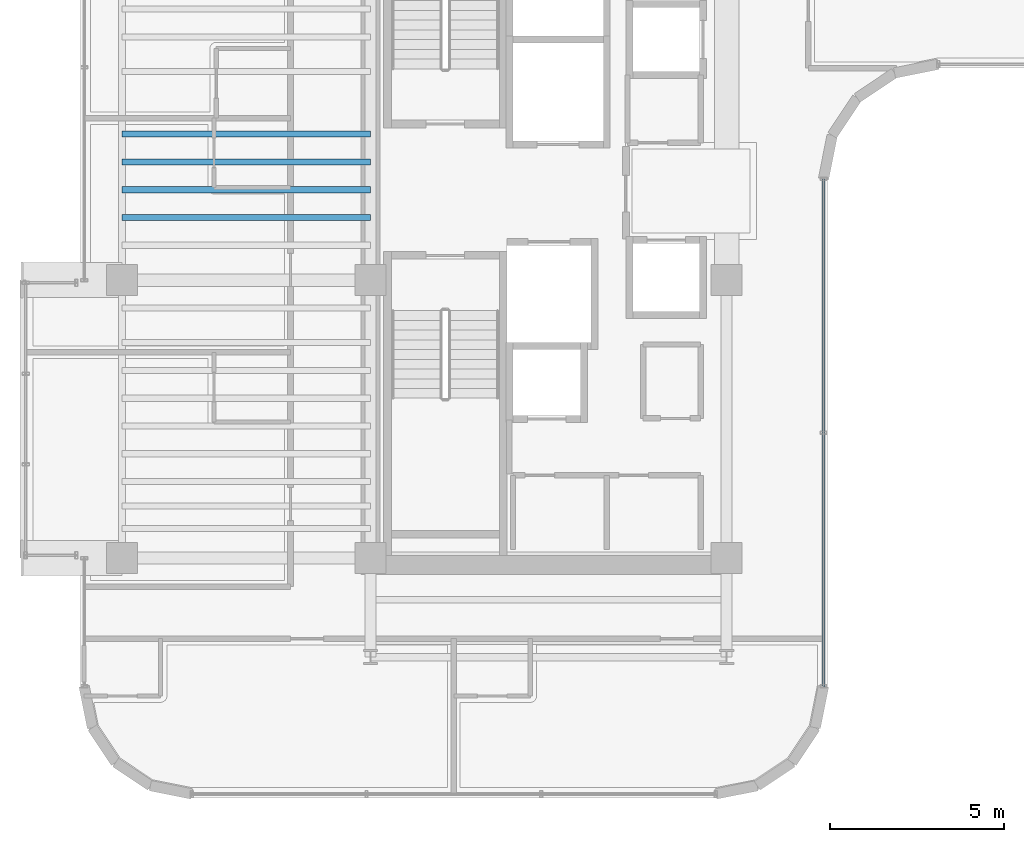
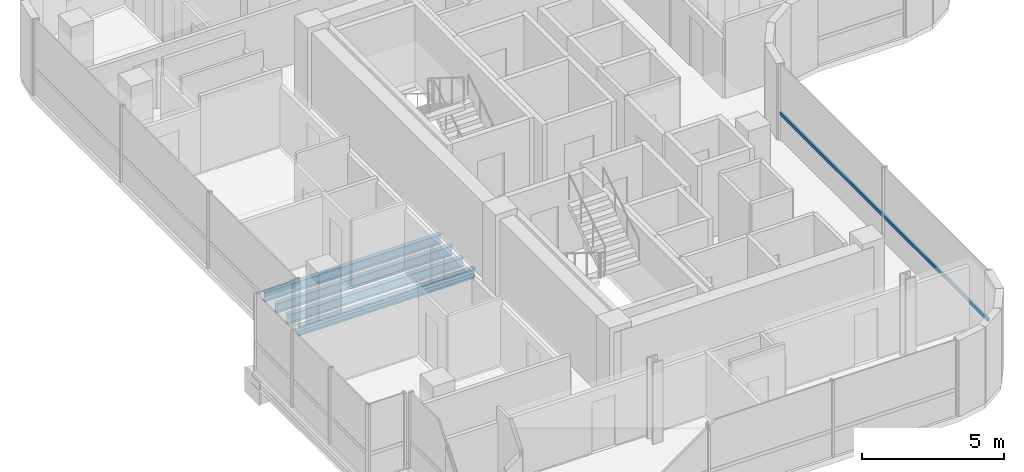
# One storey, part 6 of 24: 4 beams, 1 member, 1 element without a shape of its own.
"""IFC4 building model written with IfcOpenShell, lengths in metres."""

from ifc_helpers import new_model, si_unit, direction, frame, origin, origin_2d, place, context, subcontext, project, spatial, hollow_rectangle, i_section, extrude, source, transform, mapped, material, material_profile, profile_set, type_object, element, aggregate, save


model = new_model("IFC4")

# Units and contexts
model_context = context("Model", 3, precision=1e-05, world=origin(), true_north=direction((0.0, 1.0)))
body_context = subcontext(model_context, "Body", "Model", "MODEL_VIEW")
ifc_project = project(units=[si_unit("LENGTHUNIT", "METRE"), si_unit("AREAUNIT", "SQUARE_METRE"), si_unit("VOLUMEUNIT", "CUBIC_METRE"), si_unit("PLANEANGLEUNIT", "RADIAN"), si_unit("MASSUNIT", "GRAM", prefix="KILO")], contexts=[model_context])

# Site, building, storey
site_placement = place(None, origin())
site = spatial("IfcSite", under=ifc_project, at=site_placement, CompositionType="ELEMENT")
building_placement = place(site_placement, origin())
building = spatial("IfcBuilding", under=site, at=building_placement, Name="Valdorenza Pilgrim Sanctuary Tower", CompositionType="ELEMENT")
storey_placement = place(building_placement, frame((0.0, 0.0, 230.0)))
storey = spatial("IfcBuildingStorey", under=building, at=storey_placement, Name="L59", CompositionType="ELEMENT", Elevation=230.0)

# Beams
ifc_material_1 = material(Name="Steel ASTM A992 Grade 50", Category="steel")
ifc_material_profile_1 = material_profile(ifc_material_1, i_section(OverallWidth=0.177978515625, OverallDepth=0.406005859375, WebThickness=0.0078125, FlangeThickness=0.0126953125, at=origin_2d()), Name="W16X40")
ifc_profile_set_1 = profile_set([ifc_material_profile_1], Name="Steel ASTM A992 Grade 50")
beam_type = type_object("IfcBeamType", Name="STR-BM-JST-W16", PredefinedType="JOIST", material=ifc_profile_set_1)
shared_shape_1 = source(origin(), body_context, "Body", "SweptSolid", [
    extrude(i_section(OverallWidth=0.177978515625, OverallDepth=0.406005859375, WebThickness=0.0078125, FlangeThickness=0.0126953125, at=origin_2d()), origin(), (0.0, 0.0, 1.0), 7.150146484375),
])
for number, where, z_axis, x_axis, name in (
    (1, (-29.800048828125, -0.800048828125, -0.443115234375), (1.0, 0.0, 0.0), (0.0, 1.0, 0.0), "L59 Composite Floor Joist JST-WA-11"),
    (2, (-29.800048828125, 0.0, -0.443115234375), (1.0, 0.0, 0.0), (0.0, 1.0, 0.0), "L59 Composite Floor Joist JST-WA-12"),
    (3, (-29.800048828125, 0.800048828125, -0.443115234375), (1.0, 0.0, 0.0), (0.0, 1.0, 0.0), "L59 Composite Floor Joist JST-WA-13"),
    (4, (-29.800048828125, 1.60009765625, -0.443115234375), (1.0, 0.0, 0.0), (0.0, 1.0, 0.0), "L59 Composite Floor Joist JST-WA-14"),
):
    element("IfcBeam", number, at=place(storey_placement, frame(where, z_axis=z_axis, x_axis=x_axis)), inside=storey, type_object=beam_type, Name=name, PredefinedType="JOIST", context=body_context, shape_type="MappedRepresentation", body=[
        mapped(shared_shape_1, transform((0.0, 0.0, 0.0), x_axis=(1.0, 0.0, 0.0), y_axis=(0.0, 1.0, 0.0), z_axis=(0.0, 0.0, 1.0), scale=1.0)),
    ])

# Curtain wall, member
ifc_material_2 = material(Name="Curtain-wall IGU glazing", Category="glass")
curtain_wall_type = type_object("IfcCurtainWallType", Name="CW-SYS-02", PredefinedType="NOTDEFINED", material=ifc_material_2)
curtain_wall_placement = place(storey_placement, origin())
curtain_wall = element("IfcCurtainWall", 5, at=curtain_wall_placement, inside=storey, type_object=curtain_wall_type, Name="L59 Curtain Wall CW-L59-1-21", PredefinedType="NOTDEFINED")
ifc_material_3 = material(Name="Anodised aluminium AW-6060", Category="aluminium")
ifc_material_profile_2 = material_profile(ifc_material_3, hollow_rectangle(XDim=0.074951171875, YDim=0.14990234375, WallThickness=0.00390625, at=origin_2d()), Name="ALU-T 150x75x4")
ifc_profile_set_2 = profile_set([ifc_material_profile_2], Name="Anodised aluminium AW-6060")
member_type = type_object("IfcMemberType", Name="CW-TRN-02", PredefinedType="USERDEFINED", material=ifc_profile_set_2)
shared_shape_2 = source(origin(), body_context, "Body", "SweptSolid", [
    extrude(hollow_rectangle(XDim=0.074951171875, YDim=0.14990234375, WallThickness=0.00390625, at=origin_2d()), origin(), (0.0, 0.0, 1.0), 14.60009765625),
])
member_placement = place(storey_placement, frame((-9.610107421875, 0.310791015625, 1.1201171875), z_axis=(0.0, -1.0, 0.0), x_axis=(1.0, 0.0, 0.0)))
member = element("IfcMember", 6, at=member_placement, type_object=member_type, Name="CW-L59-1-21 Transom 1", ObjectType="TRANSOM", PredefinedType="USERDEFINED", context=body_context, shape_type="MappedRepresentation", body=[
    mapped(shared_shape_2, transform((0.0, 0.0, 0.0), x_axis=(1.0, 0.0, 0.0), y_axis=(0.0, 1.0, 0.0), z_axis=(0.0, 0.0, 1.0), scale=1.0)),
])
aggregate(curtain_wall, [member])

save(model, "model.ifc")
